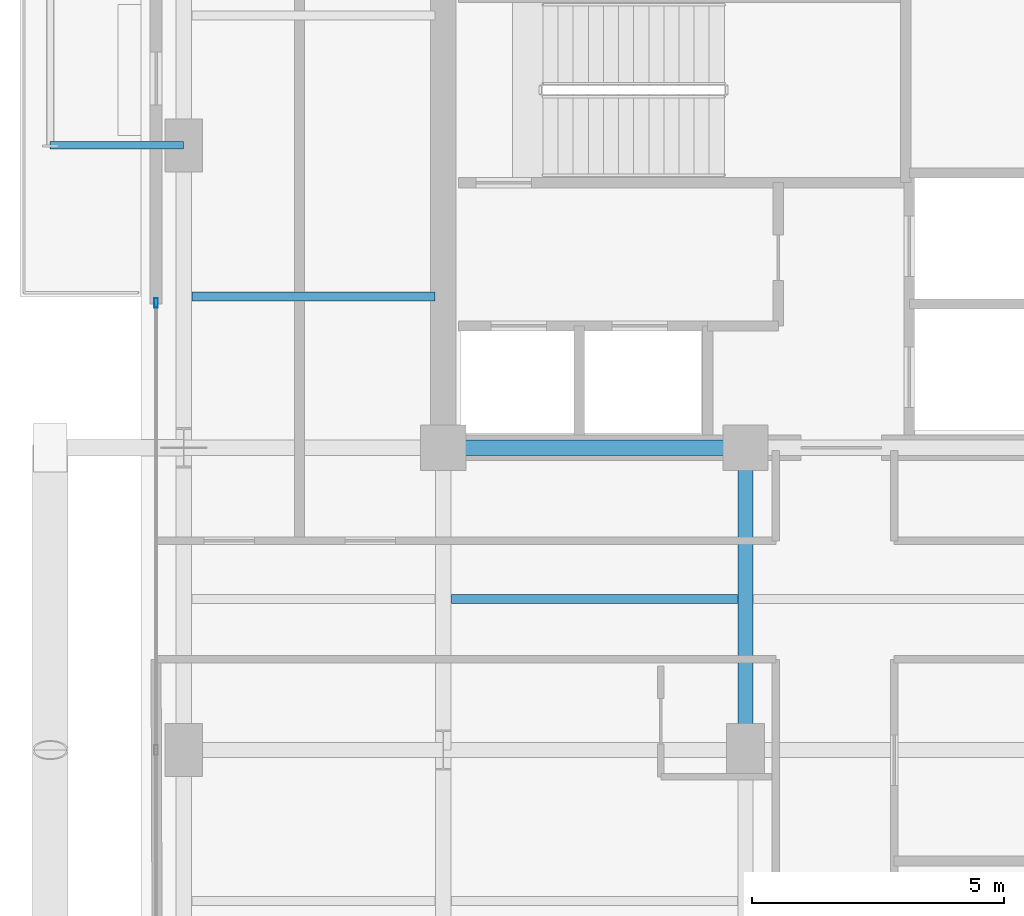
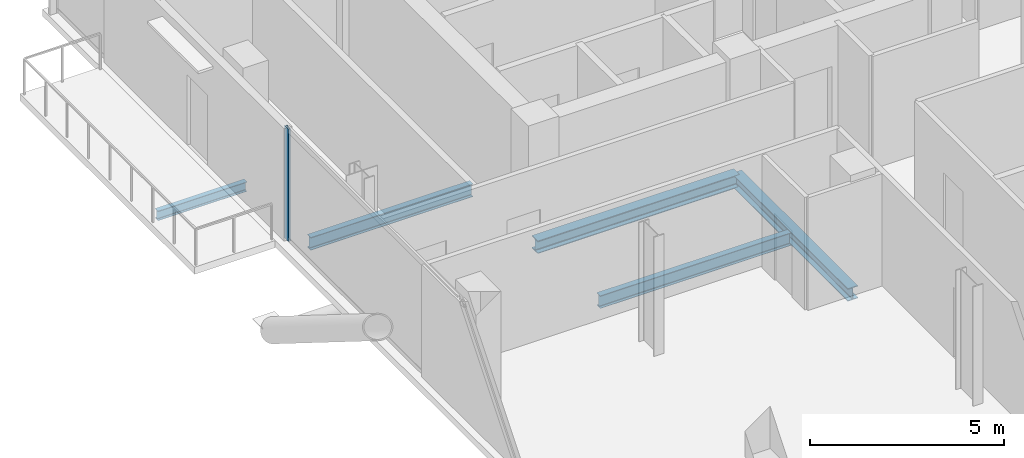
# One storey, part 7 of 25: 5 beams, 1 member, 1 element without a shape of its own.
"""IFC4 building model written with IfcOpenShell, lengths in metres."""

from ifc_helpers import new_model, si_unit, direction, frame, origin, origin_2d, place, context, subcontext, project, spatial, hollow_rectangle, i_section, extrude, material, layer, layer_set, material_profile, profile_set, type_object, element, aggregate, save


model = new_model("IFC4")

# Units and contexts
model_context = context("Model", 3, precision=1e-05, world=origin(), true_north=direction((0.0, 1.0)))
body_context = subcontext(model_context, "Body", "Model", "MODEL_VIEW")
ifc_project = project(units=[si_unit("LENGTHUNIT", "METRE"), si_unit("AREAUNIT", "SQUARE_METRE"), si_unit("VOLUMEUNIT", "CUBIC_METRE"), si_unit("PLANEANGLEUNIT", "RADIAN"), si_unit("MASSUNIT", "GRAM", prefix="KILO"), si_unit("THERMODYNAMICTEMPERATUREUNIT", "KELVIN"), si_unit("POWERUNIT", "WATT")], contexts=[model_context])

# Site, building, storey
site_placement = place(None, origin())
site = spatial("IfcSite", under=ifc_project, at=site_placement, CompositionType="ELEMENT")
building_placement = place(site_placement, origin())
building = spatial("IfcBuilding", under=site, at=building_placement, Name="Svarakhadi Broadcast Tower", CompositionType="ELEMENT")
storey_placement = place(building_placement, frame((0.0, 0.0, 227.39990234375)))
storey = spatial("IfcBuildingStorey", under=building, at=storey_placement, Name="L56", CompositionType="ELEMENT", Elevation=227.39990234375)

# Beams
ifc_material_1 = material(Name="Steel S355J2 (IS 2062 E350C)", Category="steel")
ifc_material_profile_1 = material_profile(ifc_material_1, i_section(OverallWidth=0.179931640625, OverallDepth=0.39990234375, WebThickness=0.008544921875, FlangeThickness=0.013427734375, FilletRadius=0.02099609375, at=origin_2d()), Name="NPB 400x180x66")
ifc_profile_set_1 = profile_set([ifc_material_profile_1], Name="Steel S355J2 (IS 2062 E350C)")
beam_type_1 = type_object("IfcBeamType", Name="Beam_NPB400", PredefinedType="BEAM", material=ifc_profile_set_1)
beam_1_placement = place(storey_placement, frame((1.010009765625, 21.0, -0.409912109375), z_axis=(1.0, 0.0, 0.0), x_axis=(0.0, 1.0, 0.0)))
element("IfcBeam", 1, at=beam_1_placement, inside=storey, type_object=beam_type_1, Name="L56 Secondary Composite Beam SB003", PredefinedType="BEAM", context=body_context, shape_type="SweptSolid", body=[
    extrude(i_section(OverallWidth=0.179931640625, OverallDepth=0.39990234375, WebThickness=0.008544921875, FlangeThickness=0.013427734375, FilletRadius=0.02099609375, at=origin_2d()), origin(), (0.0, 0.0, 1.0), 4.830078125),
])
beam_2_placement = place(storey_placement, frame((6.159912109375, 15.0, -0.409912109375), z_axis=(1.0, 0.0, 0.0), x_axis=(0.0, 1.0, 0.0)))
element("IfcBeam", 2, at=beam_2_placement, inside=storey, type_object=beam_type_1, Name="L56 Secondary Composite Beam SB007", PredefinedType="BEAM", context=body_context, shape_type="SweptSolid", body=[
    extrude(i_section(OverallWidth=0.179931640625, OverallDepth=0.39990234375, WebThickness=0.008544921875, FlangeThickness=0.013427734375, FilletRadius=0.02099609375, at=origin_2d()), origin(), (0.0, 0.0, 1.0), 5.68017578125),
])

# Curtain wall, member
ifc_material_2 = material(Name="Anodised Bronze Aluminium AA 6063-T6", Category="aluminium")
ifc_layer = layer(ifc_material_2, 0.18994140625)
ifc_layer_set = layer_set([ifc_layer], Name="Anodised Bronze Aluminium AA 6063-T6")
curtain_wall_type = type_object("IfcCurtainWallType", Name="CW_Sys_04", PredefinedType="NOTDEFINED", material=ifc_layer_set)
curtain_wall_placement = place(storey_placement, origin())
curtain_wall = element("IfcCurtainWall", 3, at=curtain_wall_placement, inside=storey, type_object=curtain_wall_type, Name="L56 West Curtain Wall 02", PredefinedType="NOTDEFINED")
ifc_material_profile_2 = material_profile(ifc_material_2, hollow_rectangle(XDim=0.070068359375, YDim=0.18994140625, WallThickness=0.005615234375, at=origin_2d()), Name="ALU MULLION 190x70x6")
ifc_profile_set_2 = profile_set([ifc_material_profile_2], Name="Anodised Bronze Aluminium AA 6063-T6")
member_type = type_object("IfcMemberType", Name="CW_Sys_04_Mul", PredefinedType="MULLION", material=ifc_profile_set_2)
member_placement = place(storey_placement, frame((0.300048828125, 20.875, 0.0), z_axis=(0.0, 0.0, 1.0), x_axis=(-1.0, 0.0, 0.0)))
member = element("IfcMember", 4, at=member_placement, type_object=member_type, Name="CW-04 mullion 3", PredefinedType="MULLION", context=body_context, shape_type="SweptSolid", body=[
    extrude(hollow_rectangle(XDim=0.070068359375, YDim=0.18994140625, WallThickness=0.005615234375, at=origin_2d()), origin(), (0.0, 0.0, 1.0), 3.5400390625),
])
aggregate(curtain_wall, [member])

# Beams
ifc_material_profile_3 = material_profile(ifc_material_1, i_section(OverallWidth=0.300048828125, OverallDepth=0.39990234375, WebThickness=0.013427734375, FlangeThickness=0.02392578125, FilletRadius=0.027099609375, at=origin_2d()), Name="WPB 400x300x155")
ifc_profile_set_3 = profile_set([ifc_material_profile_3], Name="Steel S355J2 (IS 2062 E350C)")
beam_type_2 = type_object("IfcBeamType", Name="Girder_WPB400", PredefinedType="USERDEFINED", material=ifc_profile_set_3)
for number, where, z_axis, x_axis, name in (
    (5, (6.0, 18.0, -0.409912109375), (1.0, 0.0, 0.0), (0.0, 1.0, 0.0), "L56 Primary E-W Girder G021"),
    (6, (12.0, 12.0, -0.409912109375), (0.0, 1.0, 0.0), (-1.0, 0.0, 0.0), "L56 Primary N-S Girder G044"),
):
    element("IfcBeam", number, at=place(storey_placement, frame(where, z_axis=z_axis, x_axis=x_axis)), inside=storey, type_object=beam_type_2, Name=name, ObjectType="GIRDER", PredefinedType="USERDEFINED", context=body_context, shape_type="SweptSolid", body=[
        extrude(i_section(OverallWidth=0.300048828125, OverallDepth=0.39990234375, WebThickness=0.013427734375, FlangeThickness=0.02392578125, FilletRadius=0.027099609375, at=origin_2d()), origin(), (0.0, 0.0, 1.0), 6.0),
    ])
ifc_material_profile_4 = material_profile(ifc_material_1, i_section(OverallWidth=0.14990234375, OverallDepth=0.300048828125, WebThickness=0.007080078125, FlangeThickness=0.0107421875, FilletRadius=0.014892578125, at=origin_2d()), Name="NPB 300x150x37")
ifc_profile_set_4 = profile_set([ifc_material_profile_4], Name="Steel S355J2 (IS 2062 E350C)")
beam_type_3 = type_object("IfcBeamType", Name="Spandrel_NPB300", PredefinedType="SPANDREL", material=ifc_profile_set_4)
beam_3_placement = place(storey_placement, frame((0.85009765625, 24.0, -0.375), z_axis=(-1.0, 0.0, 0.0), x_axis=(0.0, -1.0, 0.0)))
element("IfcBeam", 7, at=beam_3_placement, inside=storey, type_object=beam_type_3, Name="L56 Balcony Cantilever Bracket 2A", PredefinedType="SPANDREL", context=body_context, shape_type="SweptSolid", body=[
    extrude(i_section(OverallWidth=0.14990234375, OverallDepth=0.300048828125, WebThickness=0.007080078125, FlangeThickness=0.0107421875, FilletRadius=0.014892578125, at=origin_2d()), origin(), (0.0, 0.0, 1.0), 2.650146484375),
])

save(model, "model.ifc")
